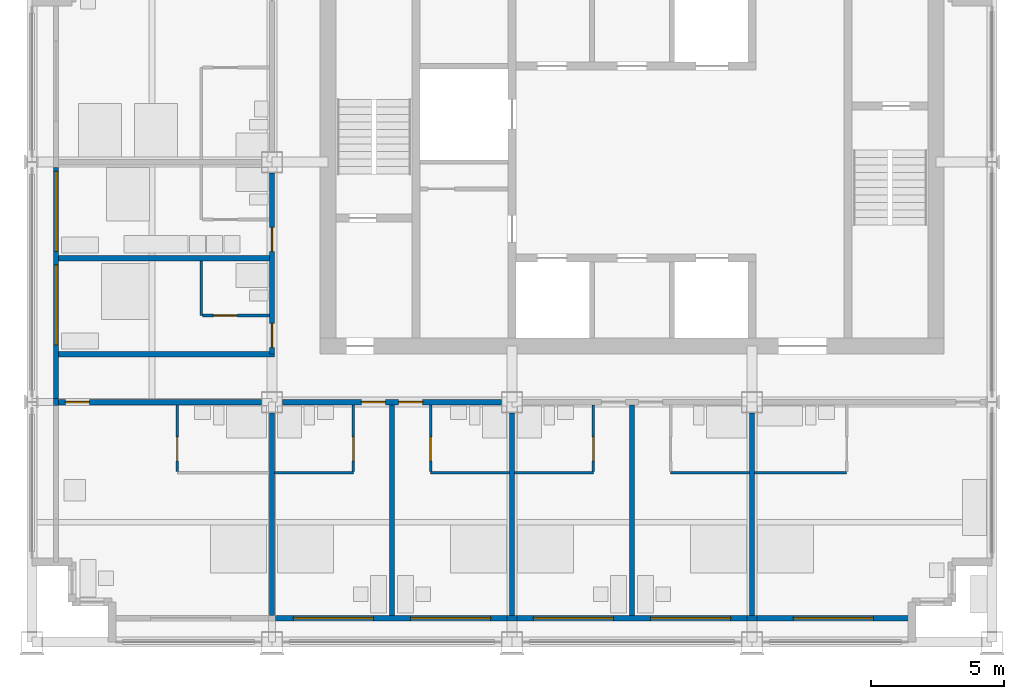
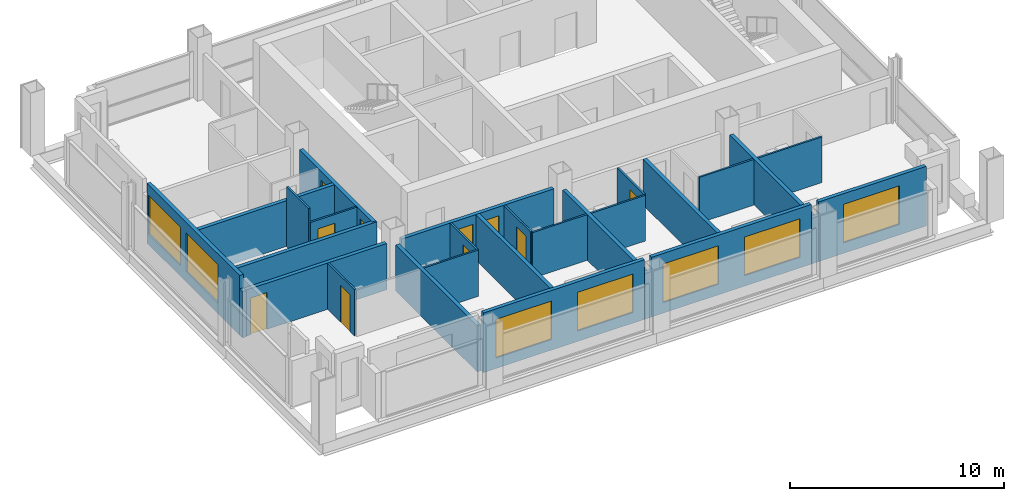
# One storey, part 6 of 12: 28 walls, 10 doors, 7 windows, 17 openings.
"""IFC4 building model written with IfcOpenShell, lengths in metres."""

from ifc_helpers import new_model, si_unit, direction, frame, frame_2d, origin, place, context, subcontext, project, spatial, rectangle, extrude, material, layer, layer_set, type_object, element, fill, save


model = new_model("IFC4")

# Units and contexts
model_context = context("Model", 3, precision=1e-05, world=origin(), true_north=direction((0.0, 1.0)))
body_context = subcontext(model_context, "Body", "Model", "MODEL_VIEW")
ifc_project = project(units=[si_unit("LENGTHUNIT", "METRE"), si_unit("AREAUNIT", "SQUARE_METRE"), si_unit("VOLUMEUNIT", "CUBIC_METRE"), si_unit("PLANEANGLEUNIT", "RADIAN"), si_unit("MASSUNIT", "GRAM", prefix="KILO")], contexts=[model_context])

# Site, building, storey
site_placement = place(None, origin())
site = spatial("IfcSite", under=ifc_project, at=site_placement, CompositionType="ELEMENT")
building_placement = place(site_placement, origin())
building = spatial("IfcBuilding", under=site, at=building_placement, Name="Loomwork Tower", CompositionType="ELEMENT")
storey_placement = place(building_placement, frame((0.0, 0.0, 255.39990234375)))
storey = spatial("IfcBuildingStorey", under=building, at=storey_placement, Name="L70", CompositionType="ELEMENT", Elevation=255.39990234375)

# Wall, opening, door
ifc_material_1 = material(Name="Gypsum board on steel studs, one-hour", Category="steel")
ifc_layer_1 = layer(ifc_material_1, 0.199951171875)
ifc_layer_set_1 = layer_set([ifc_layer_1], Name="Corridor wall 200")
wall_type_1 = type_object("IfcWallType", Name="Corridor wall 200", PredefinedType="PARTITIONING", material=ifc_layer_set_1)
wall_1_placement = place(storey_placement, frame((1.0, 9.0, 0.0), z_axis=(0.0, 0.0, 1.0), x_axis=(1.0, 0.0, 0.0)))
wall_1 = element("IfcWall", 1, at=wall_1_placement, inside=storey, type_object=wall_type_1, Name="South corridor wall 1", PredefinedType="PARTITIONING", context=body_context, shape_type="SweptSolid", body=[
    extrude(rectangle(XDim=7.60009765625, YDim=0.199951171875, at=frame_2d((3.800048828125, 0.0))), origin(), (0.0, 0.0, 1.0), 2.63818359375),
])
opening_1_placement = place(wall_1_placement, frame((0.25, 0.0, 0.0)))
opening_1 = element("IfcOpeningElement", 2, at=opening_1_placement, cuts=wall_1, Name="Opening D1", PredefinedType="OPENING", context=body_context, shape_type="SweptSolid", body=[
    extrude(rectangle(XDim=0.89990234375, YDim=2.10009765625, at=frame_2d((0.449951171875, 1.050048828125))), frame((0.0, 0.10986328125, 0.0), z_axis=(0.0, -1.0, 0.0), x_axis=(1.0, 0.0, 0.0)), (0.0, 0.0, 1.0), 0.219970703125),
])
ifc_material_2 = material(Name="Hollow metal door and frame")
door_type_1 = type_object("IfcDoorType", Name="Guest room entry door 900", OperationType="SINGLE_SWING_LEFT", PredefinedType="DOOR", material=ifc_material_2)
door_1_placement = place(opening_1_placement, frame((0.89990234375, 0.0, 0.0), z_axis=(0.0, 0.0, 1.0), x_axis=(-1.0, 0.0, 0.0)))
door_1 = element("IfcDoor", 3, at=door_1_placement, inside=storey, type_object=door_type_1, Name="Guest room entry door L70 1", OperationType="SINGLE_SWING_RIGHT", OverallHeight=2.10009765625, OverallWidth=0.89990234375, PredefinedType="DOOR", context=body_context, shape_type="SweptSolid", body=[
    extrude(rectangle(XDim=0.89990234375, YDim=2.10009765625, at=frame_2d((0.449951171875, 1.050048828125))), frame((0.0, 0.02490234375, 0.0), z_axis=(0.0, -1.0, 0.0), x_axis=(1.0, 0.0, 0.0)), (0.0, 0.0, 1.0), 0.050048828125),
])
fill(opening_1, door_1)

# Wall, openings, doors
wall_2_placement = place(storey_placement, frame((9.39990234375, 9.0, 0.0), z_axis=(0.0, 0.0, 1.0), x_axis=(1.0, 0.0, 0.0)))
wall_2 = element("IfcWall", 4, at=wall_2_placement, inside=storey, type_object=wall_type_1, Name="South corridor wall 2", PredefinedType="PARTITIONING", context=body_context, shape_type="SweptSolid", body=[
    extrude(rectangle(XDim=8.2001953125, YDim=0.199951171875, at=frame_2d((4.10009765625, 0.0))), origin(), (0.0, 0.0, 1.0), 2.60498046875),
])
opening_2_placement = place(wall_2_placement, frame((2.949951171875, 0.0, 0.0)))
opening_2 = element("IfcOpeningElement", 5, at=opening_2_placement, cuts=wall_2, Name="Opening D1", PredefinedType="OPENING", context=body_context, shape_type="SweptSolid", body=[
    extrude(rectangle(XDim=0.89990234375, YDim=2.10009765625, at=frame_2d((0.449951171875, 1.050048828125))), frame((0.0, 0.10986328125, 0.0), z_axis=(0.0, -1.0, 0.0), x_axis=(1.0, 0.0, 0.0)), (0.0, 0.0, 1.0), 0.219970703125),
])
opening_3_placement = place(wall_2_placement, frame((4.35009765625, 0.0, 0.0)))
opening_3 = element("IfcOpeningElement", 6, at=opening_3_placement, cuts=wall_2, Name="Opening D1", PredefinedType="OPENING", context=body_context, shape_type="SweptSolid", body=[
    extrude(rectangle(XDim=0.89990234375, YDim=2.10009765625, at=frame_2d((0.449951171875, 1.050048828125))), frame((0.0, 0.10986328125, 0.0), z_axis=(0.0, -1.0, 0.0), x_axis=(1.0, 0.0, 0.0)), (0.0, 0.0, 1.0), 0.219970703125),
])
door_2_placement = place(opening_2_placement, frame((0.89990234375, 0.0, 0.0), z_axis=(0.0, 0.0, 1.0), x_axis=(-1.0, 0.0, 0.0)))
door_2 = element("IfcDoor", 7, at=door_2_placement, inside=storey, type_object=door_type_1, Name="Guest room entry door L70 2", OperationType="SINGLE_SWING_LEFT", OverallHeight=2.10009765625, OverallWidth=0.89990234375, PredefinedType="DOOR", context=body_context, shape_type="SweptSolid", body=[
    extrude(rectangle(XDim=0.89990234375, YDim=2.10009765625, at=frame_2d((0.449951171875, 1.050048828125))), frame((0.0, 0.02490234375, 0.0), z_axis=(0.0, -1.0, 0.0), x_axis=(1.0, 0.0, 0.0)), (0.0, 0.0, 1.0), 0.050048828125),
])
fill(opening_2, door_2)
door_3_placement = place(opening_3_placement, frame((0.89990234375, 0.0, 0.0), z_axis=(0.0, 0.0, 1.0), x_axis=(-1.0, 0.0, 0.0)))
door_3 = element("IfcDoor", 8, at=door_3_placement, inside=storey, type_object=door_type_1, Name="Guest room entry door L70 3", OperationType="SINGLE_SWING_RIGHT", OverallHeight=2.10009765625, OverallWidth=0.89990234375, PredefinedType="DOOR", context=body_context, shape_type="SweptSolid", body=[
    extrude(rectangle(XDim=0.89990234375, YDim=2.10009765625, at=frame_2d((0.449951171875, 1.050048828125))), frame((0.0, 0.02490234375, 0.0), z_axis=(0.0, -1.0, 0.0), x_axis=(1.0, 0.0, 0.0)), (0.0, 0.0, 1.0), 0.050048828125),
])
fill(opening_3, door_3)

wall_3_placement = place(storey_placement, frame((9.0, 10.800048828125, 0.0), z_axis=(0.0, 0.0, 1.0), x_axis=(0.0, 1.0, 0.0)))
wall_3 = element("IfcWall", 9, at=wall_3_placement, inside=storey, type_object=wall_type_1, Name="West corridor wall 1", PredefinedType="PARTITIONING", context=body_context, shape_type="SweptSolid", body=[
    extrude(rectangle(XDim=6.800048828125, YDim=0.199951171875, at=frame_2d((3.39990234375, 0.0))), origin(), (0.0, 0.0, 1.0), 2.60498046875),
])
opening_4_placement = place(wall_3_placement, frame((0.25, 0.0, 0.0)))
opening_4 = element("IfcOpeningElement", 10, at=opening_4_placement, cuts=wall_3, Name="Opening D1", PredefinedType="OPENING", context=body_context, shape_type="SweptSolid", body=[
    extrude(rectangle(XDim=0.89990234375, YDim=2.10009765625, at=frame_2d((0.449951171875, 1.050048828125))), frame((0.0, 0.10986328125, 0.0), z_axis=(0.0, -1.0, 0.0), x_axis=(1.0, 0.0, 0.0)), (0.0, 0.0, 1.0), 0.219970703125),
])
opening_5_placement = place(wall_3_placement, frame((3.85009765625, 0.0, 0.0)))
opening_5 = element("IfcOpeningElement", 11, at=opening_5_placement, cuts=wall_3, Name="Opening D1", PredefinedType="OPENING", context=body_context, shape_type="SweptSolid", body=[
    extrude(rectangle(XDim=0.89990234375, YDim=2.10009765625, at=frame_2d((0.449951171875, 1.050048828125))), frame((0.0, 0.10986328125, 0.0), z_axis=(0.0, -1.0, 0.0), x_axis=(1.0, 0.0, 0.0)), (0.0, 0.0, 1.0), 0.219970703125),
])
door_4_placement = place(opening_4_placement, origin())
door_4 = element("IfcDoor", 12, at=door_4_placement, inside=storey, type_object=door_type_1, Name="Guest room entry door L70 7", OperationType="SINGLE_SWING_LEFT", OverallHeight=2.10009765625, OverallWidth=0.89990234375, PredefinedType="DOOR", context=body_context, shape_type="SweptSolid", body=[
    extrude(rectangle(XDim=0.89990234375, YDim=2.10009765625, at=frame_2d((0.449951171875, 1.050048828125))), frame((0.0, 0.02490234375, 0.0), z_axis=(0.0, -1.0, 0.0), x_axis=(1.0, 0.0, 0.0)), (0.0, 0.0, 1.0), 0.050048828125),
])
fill(opening_4, door_4)
door_5_placement = place(opening_5_placement, origin())
door_5 = element("IfcDoor", 13, at=door_5_placement, inside=storey, type_object=door_type_1, Name="Guest room entry door L70 8", OperationType="SINGLE_SWING_LEFT", OverallHeight=2.10009765625, OverallWidth=0.89990234375, PredefinedType="DOOR", context=body_context, shape_type="SweptSolid", body=[
    extrude(rectangle(XDim=0.89990234375, YDim=2.10009765625, at=frame_2d((0.449951171875, 1.050048828125))), frame((0.0, 0.02490234375, 0.0), z_axis=(0.0, -1.0, 0.0), x_axis=(1.0, 0.0, 0.0)), (0.0, 0.0, 1.0), 0.050048828125),
])
fill(opening_5, door_5)

# Wall
wall_4_placement = place(storey_placement, frame((1.0, 10.800048828125, 0.0), z_axis=(0.0, 0.0, 1.0), x_axis=(1.0, 0.0, 0.0)))
element("IfcWall", 14, at=wall_4_placement, inside=storey, type_object=wall_type_1, Name="West band end wall S", PredefinedType="PARTITIONING", context=body_context, shape_type="SweptSolid", body=[
    extrude(rectangle(XDim=8.10009765625, YDim=0.199951171875, at=frame_2d((4.050048828125, 0.0))), origin(), (0.0, 0.0, 1.0), 2.60400390625),
])

# Wall, opening, door
ifc_material_3 = material(Name="Cement board on steel studs", Category="steel")
ifc_layer_2 = layer(ifc_material_3, 0.10009765625)
ifc_layer_set_2 = layer_set([ifc_layer_2], Name="En-suite partition 100")
wall_type_2 = type_object("IfcWallType", Name="En-suite partition 100", PredefinedType="PARTITIONING", material=ifc_layer_set_2)
wall_5_placement = place(storey_placement, frame((5.449951171875, 8.89990234375, 0.0), z_axis=(0.0, 0.0, 1.0), x_axis=(0.0, -1.0, 0.0)))
wall_5 = element("IfcWall", 15, at=wall_5_placement, inside=storey, type_object=wall_type_2, Name="En-suite side wall L70 room 1", PredefinedType="PARTITIONING", context=body_context, shape_type="SweptSolid", body=[
    extrude(rectangle(XDim=2.5, YDim=0.10009765625, at=frame_2d((1.25, 0.0))), origin(), (0.0, 0.0, 1.0), 2.63818359375),
])
opening_6_placement = place(wall_5_placement, frame((1.199951171875, 0.0, 0.0)))
opening_6 = element("IfcOpeningElement", 16, at=opening_6_placement, cuts=wall_5, Name="Opening D3", PredefinedType="OPENING", context=body_context, shape_type="SweptSolid", body=[
    extrude(rectangle(XDim=0.89990234375, YDim=2.10009765625, at=frame_2d((0.449951171875, 1.050048828125))), frame((0.0, 0.06005859375, 0.0), z_axis=(0.0, -1.0, 0.0), x_axis=(1.0, 0.0, 0.0)), (0.0, 0.0, 1.0), 0.1201171875),
])
ifc_material_4 = material(Name="Hollow metal door and frame")
door_type_2 = type_object("IfcDoorType", Name="Accessible en-suite door 900", OperationType="SLIDING_TO_LEFT", PredefinedType="DOOR", material=ifc_material_4)
door_6_placement = place(opening_6_placement, origin())
door_6 = element("IfcDoor", 17, at=door_6_placement, inside=storey, type_object=door_type_2, Name="Accessible en-suite door room 1", OperationType="SLIDING_TO_LEFT", OverallHeight=2.10009765625, OverallWidth=0.89990234375, PredefinedType="DOOR", context=body_context, shape_type="SweptSolid", body=[
    extrude(rectangle(XDim=0.89990234375, YDim=2.10009765625, at=frame_2d((0.449951171875, 1.050048828125))), frame((0.0, 0.02490234375, 0.0), z_axis=(0.0, -1.0, 0.0), x_axis=(1.0, 0.0, 0.0)), (0.0, 0.0, 1.0), 0.050048828125),
])
fill(opening_6, door_6)

# Wall
wall_6_placement = place(storey_placement, frame((9.10009765625, 6.35009765625, 0.0), z_axis=(0.0, 0.0, 1.0), x_axis=(1.0, 0.0, 0.0)))
element("IfcWall", 18, at=wall_6_placement, inside=storey, type_object=wall_type_2, Name="En-suite wall L70 room 2", PredefinedType="PARTITIONING", context=body_context, shape_type="SweptSolid", body=[
    extrude(rectangle(XDim=2.949951171875, YDim=0.10009765625, at=frame_2d((1.47509765625, 0.0))), origin(), (0.0, 0.0, 1.0), 2.63818359375),
])

# Wall, opening, door
wall_7_placement = place(storey_placement, frame((12.050048828125, 8.89990234375, 0.0), z_axis=(0.0, 0.0, 1.0), x_axis=(0.0, -1.0, 0.0)))
wall_7 = element("IfcWall", 19, at=wall_7_placement, inside=storey, type_object=wall_type_2, Name="En-suite side wall L70 room 2", PredefinedType="PARTITIONING", context=body_context, shape_type="SweptSolid", body=[
    extrude(rectangle(XDim=2.5, YDim=0.10009765625, at=frame_2d((1.25, 0.0))), origin(), (0.0, 0.0, 1.0), 2.60400390625),
])
opening_7_placement = place(wall_7_placement, frame((1.199951171875, 0.0, 0.0)))
opening_7 = element("IfcOpeningElement", 20, at=opening_7_placement, cuts=wall_7, Name="Opening D2", PredefinedType="OPENING", context=body_context, shape_type="SweptSolid", body=[
    extrude(rectangle(XDim=0.89990234375, YDim=2.10009765625, at=frame_2d((0.449951171875, 1.050048828125))), frame((0.0, 0.06005859375, 0.0), z_axis=(0.0, -1.0, 0.0), x_axis=(1.0, 0.0, 0.0)), (0.0, 0.0, 1.0), 0.1201171875),
])
ifc_material_5 = material(Name="Hollow metal door and frame")
door_type_3 = type_object("IfcDoorType", Name="En-suite door 900", OperationType="SINGLE_SWING_LEFT", PredefinedType="DOOR", material=ifc_material_5)
door_7_placement = place(opening_7_placement, frame((0.89990234375, 0.0, 0.0), z_axis=(0.0, 0.0, 1.0), x_axis=(-1.0, 0.0, 0.0)))
door_7 = element("IfcDoor", 21, at=door_7_placement, inside=storey, type_object=door_type_3, Name="En-suite door room 2", OperationType="SINGLE_SWING_LEFT", OverallHeight=2.10009765625, OverallWidth=0.89990234375, PredefinedType="DOOR", context=body_context, shape_type="SweptSolid", body=[
    extrude(rectangle(XDim=0.89990234375, YDim=2.10009765625, at=frame_2d((0.449951171875, 1.050048828125))), frame((0.0, 0.02490234375, 0.0), z_axis=(0.0, -1.0, 0.0), x_axis=(1.0, 0.0, 0.0)), (0.0, 0.0, 1.0), 0.050048828125),
])
fill(opening_7, door_7)

# Wall
wall_8_placement = place(storey_placement, frame((14.949951171875, 6.35009765625, 0.0), z_axis=(0.0, 0.0, 1.0), x_axis=(1.0, 0.0, 0.0)))
element("IfcWall", 22, at=wall_8_placement, inside=storey, type_object=wall_type_2, Name="En-suite wall L70 room 3", PredefinedType="PARTITIONING", context=body_context, shape_type="SweptSolid", body=[
    extrude(rectangle(XDim=2.949951171875, YDim=0.10009765625, at=frame_2d((1.47509765625, 0.0))), origin(), (0.0, 0.0, 1.0), 2.60400390625),
])

# Wall, opening, door
wall_9_placement = place(storey_placement, frame((14.949951171875, 8.89990234375, 0.0), z_axis=(0.0, 0.0, 1.0), x_axis=(0.0, -1.0, 0.0)))
wall_9 = element("IfcWall", 23, at=wall_9_placement, inside=storey, type_object=wall_type_2, Name="En-suite side wall L70 room 3", PredefinedType="PARTITIONING", context=body_context, shape_type="SweptSolid", body=[
    extrude(rectangle(XDim=2.5, YDim=0.10009765625, at=frame_2d((1.25, 0.0))), origin(), (0.0, 0.0, 1.0), 2.60400390625),
])
opening_8_placement = place(wall_9_placement, frame((1.199951171875, 0.0, 0.0)))
opening_8 = element("IfcOpeningElement", 24, at=opening_8_placement, cuts=wall_9, Name="Opening D2", PredefinedType="OPENING", context=body_context, shape_type="SweptSolid", body=[
    extrude(rectangle(XDim=0.89990234375, YDim=2.10009765625, at=frame_2d((0.449951171875, 1.050048828125))), frame((0.0, 0.06005859375, 0.0), z_axis=(0.0, -1.0, 0.0), x_axis=(1.0, 0.0, 0.0)), (0.0, 0.0, 1.0), 0.1201171875),
])
door_8_placement = place(opening_8_placement, origin())
door_8 = element("IfcDoor", 25, at=door_8_placement, inside=storey, type_object=door_type_3, Name="En-suite door room 3", OperationType="SINGLE_SWING_RIGHT", OverallHeight=2.10009765625, OverallWidth=0.89990234375, PredefinedType="DOOR", context=body_context, shape_type="SweptSolid", body=[
    extrude(rectangle(XDim=0.89990234375, YDim=2.10009765625, at=frame_2d((0.449951171875, 1.050048828125))), frame((0.0, 0.02490234375, 0.0), z_axis=(0.0, -1.0, 0.0), x_axis=(1.0, 0.0, 0.0)), (0.0, 0.0, 1.0), 0.050048828125),
])
fill(opening_8, door_8)

# Wall
wall_10_placement = place(storey_placement, frame((18.10009765625, 6.35009765625, 0.0), z_axis=(0.0, 0.0, 1.0), x_axis=(1.0, 0.0, 0.0)))
element("IfcWall", 26, at=wall_10_placement, inside=storey, type_object=wall_type_2, Name="En-suite wall L70 room 4", PredefinedType="PARTITIONING", context=body_context, shape_type="SweptSolid", body=[
    extrude(rectangle(XDim=2.949951171875, YDim=0.10009765625, at=frame_2d((1.47509765625, 0.0))), origin(), (0.0, 0.0, 1.0), 2.60400390625),
])

# Wall, opening, door
wall_11_placement = place(storey_placement, frame((21.050048828125, 8.89990234375, 0.0), z_axis=(0.0, 0.0, 1.0), x_axis=(0.0, -1.0, 0.0)))
wall_11 = element("IfcWall", 27, at=wall_11_placement, inside=storey, type_object=wall_type_2, Name="En-suite side wall L70 room 4", PredefinedType="PARTITIONING", context=body_context, shape_type="SweptSolid", body=[
    extrude(rectangle(XDim=2.5, YDim=0.10009765625, at=frame_2d((1.25, 0.0))), origin(), (0.0, 0.0, 1.0), 2.60400390625),
])
opening_9_placement = place(wall_11_placement, frame((1.199951171875, 0.0, 0.0)))
opening_9 = element("IfcOpeningElement", 28, at=opening_9_placement, cuts=wall_11, Name="Opening D2", PredefinedType="OPENING", context=body_context, shape_type="SweptSolid", body=[
    extrude(rectangle(XDim=0.89990234375, YDim=2.10009765625, at=frame_2d((0.449951171875, 1.050048828125))), frame((0.0, 0.06005859375, 0.0), z_axis=(0.0, -1.0, 0.0), x_axis=(1.0, 0.0, 0.0)), (0.0, 0.0, 1.0), 0.1201171875),
])
door_9_placement = place(opening_9_placement, frame((0.89990234375, 0.0, 0.0), z_axis=(0.0, 0.0, 1.0), x_axis=(-1.0, 0.0, 0.0)))
door_9 = element("IfcDoor", 29, at=door_9_placement, inside=storey, type_object=door_type_3, Name="En-suite door room 4", OperationType="SINGLE_SWING_LEFT", OverallHeight=2.10009765625, OverallWidth=0.89990234375, PredefinedType="DOOR", context=body_context, shape_type="SweptSolid", body=[
    extrude(rectangle(XDim=0.89990234375, YDim=2.10009765625, at=frame_2d((0.449951171875, 1.050048828125))), frame((0.0, 0.02490234375, 0.0), z_axis=(0.0, -1.0, 0.0), x_axis=(1.0, 0.0, 0.0)), (0.0, 0.0, 1.0), 0.050048828125),
])
fill(opening_9, door_9)

# Walls
wall_12_placement = place(storey_placement, frame((23.949951171875, 6.35009765625, 0.0), z_axis=(0.0, 0.0, 1.0), x_axis=(1.0, 0.0, 0.0)))
element("IfcWall", 30, at=wall_12_placement, inside=storey, type_object=wall_type_2, Name="En-suite wall L70 room 5", PredefinedType="PARTITIONING", context=body_context, shape_type="SweptSolid", body=[
    extrude(rectangle(XDim=2.949951171875, YDim=0.10009765625, at=frame_2d((1.47509765625, 0.0))), origin(), (0.0, 0.0, 1.0), 2.60400390625),
])
wall_13_placement = place(storey_placement, frame((27.10009765625, 6.35009765625, 0.0), z_axis=(0.0, 0.0, 1.0), x_axis=(1.0, 0.0, 0.0)))
element("IfcWall", 31, at=wall_13_placement, inside=storey, type_object=wall_type_2, Name="En-suite wall L70 room 6", PredefinedType="PARTITIONING", context=body_context, shape_type="SweptSolid", body=[
    extrude(rectangle(XDim=3.449951171875, YDim=0.10009765625, at=frame_2d((1.72509765625, 0.0))), origin(), (0.0, 0.0, 1.0), 2.60400390625),
])
wall_14_placement = place(storey_placement, frame((6.35009765625, 12.25, 0.0), z_axis=(0.0, 0.0, 1.0), x_axis=(0.0, 1.0, 0.0)))
element("IfcWall", 32, at=wall_14_placement, inside=storey, type_object=wall_type_2, Name="En-suite wall L70 room 7", PredefinedType="PARTITIONING", context=body_context, shape_type="SweptSolid", body=[
    extrude(rectangle(XDim=2.050048828125, YDim=0.10009765625, at=frame_2d((1.02490234375, 0.0))), origin(), (0.0, 0.0, 1.0), 3.400146484375),
])

# Wall, opening, door
wall_15_placement = place(storey_placement, frame((8.89990234375, 12.25, 0.0), z_axis=(0.0, 0.0, 1.0), x_axis=(-1.0, 0.0, 0.0)))
wall_15 = element("IfcWall", 33, at=wall_15_placement, inside=storey, type_object=wall_type_2, Name="En-suite side wall L70 room 7", PredefinedType="PARTITIONING", context=body_context, shape_type="SweptSolid", body=[
    extrude(rectangle(XDim=2.5, YDim=0.10009765625, at=frame_2d((1.25, 0.0))), origin(), (0.0, 0.0, 1.0), 2.60400390625),
])
opening_10_placement = place(wall_15_placement, frame((1.199951171875, 0.0, 0.0)))
opening_10 = element("IfcOpeningElement", 34, at=opening_10_placement, cuts=wall_15, Name="Opening D2", PredefinedType="OPENING", context=body_context, shape_type="SweptSolid", body=[
    extrude(rectangle(XDim=0.89990234375, YDim=2.10009765625, at=frame_2d((0.449951171875, 1.050048828125))), frame((0.0, 0.06005859375, 0.0), z_axis=(0.0, -1.0, 0.0), x_axis=(1.0, 0.0, 0.0)), (0.0, 0.0, 1.0), 0.1201171875),
])
door_10_placement = place(opening_10_placement, frame((0.89990234375, 0.0, 0.0), z_axis=(0.0, 0.0, 1.0), x_axis=(-1.0, 0.0, 0.0)))
door_10 = element("IfcDoor", 35, at=door_10_placement, inside=storey, type_object=door_type_3, Name="En-suite door room 7", OperationType="SINGLE_SWING_LEFT", OverallHeight=2.10009765625, OverallWidth=0.89990234375, PredefinedType="DOOR", context=body_context, shape_type="SweptSolid", body=[
    extrude(rectangle(XDim=0.89990234375, YDim=2.10009765625, at=frame_2d((0.449951171875, 1.050048828125))), frame((0.0, 0.02490234375, 0.0), z_axis=(0.0, -1.0, 0.0), x_axis=(1.0, 0.0, 0.0)), (0.0, 0.0, 1.0), 0.050048828125),
])
fill(opening_10, door_10)

# Walls
ifc_material_6 = material(Name="Gypsum board on steel studs, acoustic", Category="steel")
ifc_layer_3 = layer(ifc_material_6, 0.199951171875)
ifc_layer_set_3 = layer_set([ifc_layer_3], Name="Guest room party wall 200")
wall_type_3 = type_object("IfcWallType", Name="Guest room party wall 200", PredefinedType="PARTITIONING", material=ifc_layer_set_3)
wall_16_placement = place(storey_placement, frame((9.0, 8.60009765625, 0.0), z_axis=(0.0, 0.0, 1.0), x_axis=(0.0, -1.0, 0.0)))
element("IfcWall", 36, at=wall_16_placement, inside=storey, type_object=wall_type_3, Name="Guest room party wall S 9", PredefinedType="PARTITIONING", context=body_context, shape_type="SweptSolid", body=[
    extrude(rectangle(XDim=7.60009765625, YDim=0.199951171875, at=frame_2d((3.800048828125, 0.0))), origin(), (0.0, 0.0, 1.0), 2.63818359375),
])
wall_17_placement = place(storey_placement, frame((13.5, 8.89990234375, 0.0), z_axis=(0.0, 0.0, 1.0), x_axis=(0.0, -1.0, 0.0)))
element("IfcWall", 37, at=wall_17_placement, inside=storey, type_object=wall_type_3, Name="Guest room party wall S 13.5", PredefinedType="PARTITIONING", context=body_context, shape_type="SweptSolid", body=[
    extrude(rectangle(XDim=7.89990234375, YDim=0.199951171875, at=frame_2d((3.949951171875, 0.0))), origin(), (0.0, 0.0, 1.0), 2.60400390625),
])
wall_18_placement = place(storey_placement, frame((18.0, 8.60009765625, 0.0), z_axis=(0.0, 0.0, 1.0), x_axis=(0.0, -1.0, 0.0)))
element("IfcWall", 38, at=wall_18_placement, inside=storey, type_object=wall_type_3, Name="Guest room party wall S 18", PredefinedType="PARTITIONING", context=body_context, shape_type="SweptSolid", body=[
    extrude(rectangle(XDim=7.60009765625, YDim=0.199951171875, at=frame_2d((3.800048828125, 0.0))), origin(), (0.0, 0.0, 1.0), 2.60498046875),
])
wall_19_placement = place(storey_placement, frame((22.5, 8.89990234375, 0.0), z_axis=(0.0, 0.0, 1.0), x_axis=(0.0, -1.0, 0.0)))
element("IfcWall", 39, at=wall_19_placement, inside=storey, type_object=wall_type_3, Name="Guest room party wall S 22.5", PredefinedType="PARTITIONING", context=body_context, shape_type="SweptSolid", body=[
    extrude(rectangle(XDim=7.89990234375, YDim=0.199951171875, at=frame_2d((3.949951171875, 0.0))), origin(), (0.0, 0.0, 1.0), 2.60400390625),
])
wall_20_placement = place(storey_placement, frame((27.0, 8.60009765625, 0.0), z_axis=(0.0, 0.0, 1.0), x_axis=(0.0, -1.0, 0.0)))
element("IfcWall", 40, at=wall_20_placement, inside=storey, type_object=wall_type_3, Name="Guest room party wall S 27", PredefinedType="PARTITIONING", context=body_context, shape_type="SweptSolid", body=[
    extrude(rectangle(XDim=7.60009765625, YDim=0.199951171875, at=frame_2d((3.800048828125, 0.0))), origin(), (0.0, 0.0, 1.0), 2.60498046875),
])
wall_21_placement = place(storey_placement, frame((8.89990234375, 14.39990234375, 0.0), z_axis=(0.0, 0.0, 1.0), x_axis=(-1.0, 0.0, 0.0)))
element("IfcWall", 41, at=wall_21_placement, inside=storey, type_object=wall_type_3, Name="Guest room party wall W 14.4", PredefinedType="PARTITIONING", context=body_context, shape_type="SweptSolid", body=[
    extrude(rectangle(XDim=7.89990234375, YDim=0.199951171875, at=frame_2d((3.949951171875, 0.0))), origin(), (0.0, 0.0, 1.0), 2.60400390625),
])

# Wall, openings, windows
ifc_material_7 = material(Name="Insulated steel stud wall with gypsum lining", Category="steel")
ifc_layer_4 = layer(ifc_material_7, 0.199951171875)
ifc_layer_set_4 = layer_set([ifc_layer_4], Name="Inner skin wall 200")
wall_type_4 = type_object("IfcWallType", Name="Inner skin wall 200", PredefinedType="SOLIDWALL", material=ifc_layer_set_4)
wall_22_placement = place(storey_placement, frame((9.13525390625, 0.89990234375, 0.0), z_axis=(0.0, 0.0, 1.0), x_axis=(1.0, 0.0, 0.0)))
wall_22 = element("IfcWall", 42, at=wall_22_placement, inside=storey, type_object=wall_type_4, Name="Inner skin wall S bay 3", PredefinedType="SOLIDWALL", context=body_context, shape_type="SweptSolid", body=[
    extrude(rectangle(XDim=8.6708984375, YDim=0.199951171875, at=frame_2d((4.33544921875, 0.0))), origin(), (0.0, 0.0, 1.0), 3.400146484375),
])
opening_11_placement = place(wall_22_placement, frame((0.664794921875, 0.0, 0.60009765625)))
opening_11 = element("IfcOpeningElement", 43, at=opening_11_placement, cuts=wall_22, Name="Opening CH1", PredefinedType="OPENING", context=body_context, shape_type="SweptSolid", body=[
    extrude(rectangle(XDim=3.0, YDim=2.199951171875, at=frame_2d((1.5, 1.10009765625))), frame((0.0, 0.10986328125, 0.0), z_axis=(0.0, -1.0, 0.0), x_axis=(1.0, 0.0, 0.0)), (0.0, 0.0, 1.0), 0.219970703125),
])
opening_12_placement = place(wall_22_placement, frame((5.064697265625, 0.0, 0.60009765625)))
opening_12 = element("IfcOpeningElement", 44, at=opening_12_placement, cuts=wall_22, Name="Opening CH1", PredefinedType="OPENING", context=body_context, shape_type="SweptSolid", body=[
    extrude(rectangle(XDim=3.0, YDim=2.199951171875, at=frame_2d((1.5, 1.10009765625))), frame((0.0, 0.10986328125, 0.0), z_axis=(0.0, -1.0, 0.0), x_axis=(1.0, 0.0, 0.0)), (0.0, 0.0, 1.0), 0.219970703125),
])
ifc_material_8 = material(Name="Aluminium frame with clear insulated glass", Category="aluminium")
window_type = type_object("IfcWindowType", Name="Chicago window 3000", PartitioningType="TRIPLE_PANEL_VERTICAL", PredefinedType="WINDOW", material=ifc_material_8)
window_1_placement = place(opening_11_placement, origin())
window_1 = element("IfcWindow", 45, at=window_1_placement, inside=storey, type_object=window_type, Name="Chicago window L70 bay 2", OverallHeight=2.199951171875, OverallWidth=3.0, PartitioningType="TRIPLE_PANEL_VERTICAL", PredefinedType="WINDOW", context=body_context, shape_type="SweptSolid", body=[
    extrude(rectangle(XDim=3.0, YDim=2.199951171875, at=frame_2d((1.5, 1.10009765625))), frame((0.0, 0.030029296875, 0.0), z_axis=(0.0, -1.0, 0.0), x_axis=(1.0, 0.0, 0.0)), (0.0, 0.0, 1.0), 0.06005859375),
])
fill(opening_11, window_1)
window_2_placement = place(opening_12_placement, origin())
window_2 = element("IfcWindow", 46, at=window_2_placement, inside=storey, type_object=window_type, Name="Chicago window L70 bay 2", OverallHeight=2.199951171875, OverallWidth=3.0, PartitioningType="TRIPLE_PANEL_VERTICAL", PredefinedType="WINDOW", context=body_context, shape_type="SweptSolid", body=[
    extrude(rectangle(XDim=3.0, YDim=2.199951171875, at=frame_2d((1.5, 1.10009765625))), frame((0.0, 0.030029296875, 0.0), z_axis=(0.0, -1.0, 0.0), x_axis=(1.0, 0.0, 0.0)), (0.0, 0.0, 1.0), 0.06005859375),
])
fill(opening_12, window_2)

# Wall
wall_23_placement = place(storey_placement, frame((17.80615234375, 0.89990234375, 0.0), z_axis=(0.0, 0.0, 1.0), x_axis=(1.0, 0.0, 0.0)))
element("IfcWall", 47, at=wall_23_placement, inside=storey, type_object=wall_type_4, Name="Inner skin wall S bay 4", PredefinedType="SOLIDWALL", context=body_context, shape_type="SweptSolid", body=[
    extrude(rectangle(XDim=0.3876953125, YDim=0.199951171875, at=frame_2d((0.19384765625, 0.0))), origin(), (0.0, 0.0, 1.0), 2.60400390625),
])

# Wall, openings, windows
wall_24_placement = place(storey_placement, frame((18.19384765625, 0.89990234375, 0.0), z_axis=(0.0, 0.0, 1.0), x_axis=(1.0, 0.0, 0.0)))
wall_24 = element("IfcWall", 48, at=wall_24_placement, inside=storey, type_object=wall_type_4, Name="Inner skin wall S bay 5", PredefinedType="SOLIDWALL", context=body_context, shape_type="SweptSolid", body=[
    extrude(rectangle(XDim=8.6123046875, YDim=0.199951171875, at=frame_2d((4.30615234375, 0.0))), origin(), (0.0, 0.0, 1.0), 3.400146484375),
])
opening_13_placement = place(wall_24_placement, frame((0.606201171875, 0.0, 0.60009765625)))
opening_13 = element("IfcOpeningElement", 49, at=opening_13_placement, cuts=wall_24, Name="Opening CH1", PredefinedType="OPENING", context=body_context, shape_type="SweptSolid", body=[
    extrude(rectangle(XDim=3.0, YDim=2.199951171875, at=frame_2d((1.5, 1.10009765625))), frame((0.0, 0.10986328125, 0.0), z_axis=(0.0, -1.0, 0.0), x_axis=(1.0, 0.0, 0.0)), (0.0, 0.0, 1.0), 0.219970703125),
])
opening_14_placement = place(wall_24_placement, frame((5.006103515625, 0.0, 0.60009765625)))
opening_14 = element("IfcOpeningElement", 50, at=opening_14_placement, cuts=wall_24, Name="Opening CH1", PredefinedType="OPENING", context=body_context, shape_type="SweptSolid", body=[
    extrude(rectangle(XDim=3.0, YDim=2.199951171875, at=frame_2d((1.5, 1.10009765625))), frame((0.0, 0.10986328125, 0.0), z_axis=(0.0, -1.0, 0.0), x_axis=(1.0, 0.0, 0.0)), (0.0, 0.0, 1.0), 0.219970703125),
])
window_3_placement = place(opening_13_placement, origin())
window_3 = element("IfcWindow", 51, at=window_3_placement, inside=storey, type_object=window_type, Name="Chicago window L70 bay 3", OverallHeight=2.199951171875, OverallWidth=3.0, PartitioningType="TRIPLE_PANEL_VERTICAL", PredefinedType="WINDOW", context=body_context, shape_type="SweptSolid", body=[
    extrude(rectangle(XDim=3.0, YDim=2.199951171875, at=frame_2d((1.5, 1.10009765625))), frame((0.0, 0.030029296875, 0.0), z_axis=(0.0, -1.0, 0.0), x_axis=(1.0, 0.0, 0.0)), (0.0, 0.0, 1.0), 0.06005859375),
])
fill(opening_13, window_3)
window_4_placement = place(opening_14_placement, origin())
window_4 = element("IfcWindow", 52, at=window_4_placement, inside=storey, type_object=window_type, Name="Chicago window L70 bay 3", OverallHeight=2.199951171875, OverallWidth=3.0, PartitioningType="TRIPLE_PANEL_VERTICAL", PredefinedType="WINDOW", context=body_context, shape_type="SweptSolid", body=[
    extrude(rectangle(XDim=3.0, YDim=2.199951171875, at=frame_2d((1.5, 1.10009765625))), frame((0.0, 0.030029296875, 0.0), z_axis=(0.0, -1.0, 0.0), x_axis=(1.0, 0.0, 0.0)), (0.0, 0.0, 1.0), 0.06005859375),
])
fill(opening_14, window_4)

# Wall
wall_25_placement = place(storey_placement, frame((26.80615234375, 0.89990234375, 0.0), z_axis=(0.0, 0.0, 1.0), x_axis=(1.0, 0.0, 0.0)))
element("IfcWall", 53, at=wall_25_placement, inside=storey, type_object=wall_type_4, Name="Inner skin wall S bay 6", PredefinedType="SOLIDWALL", context=body_context, shape_type="SweptSolid", body=[
    extrude(rectangle(XDim=0.3876953125, YDim=0.199951171875, at=frame_2d((0.19384765625, 0.0))), origin(), (0.0, 0.0, 1.0), 2.60400390625),
])

# Wall, opening, window
wall_26_placement = place(storey_placement, frame((27.19384765625, 0.89990234375, 0.0), z_axis=(0.0, 0.0, 1.0), x_axis=(1.0, 0.0, 0.0)))
wall_26 = element("IfcWall", 54, at=wall_26_placement, inside=storey, type_object=wall_type_4, Name="Inner skin wall S bay 7", PredefinedType="SOLIDWALL", context=body_context, shape_type="SweptSolid", body=[
    extrude(rectangle(XDim=5.80615234375, YDim=0.199951171875, at=frame_2d((2.903076171875, 0.0))), origin(), (0.0, 0.0, 1.0), 3.400146484375),
])
opening_15_placement = place(wall_26_placement, frame((1.356201171875, 0.0, 0.60009765625)))
opening_15 = element("IfcOpeningElement", 55, at=opening_15_placement, cuts=wall_26, Name="Opening CH1", PredefinedType="OPENING", context=body_context, shape_type="SweptSolid", body=[
    extrude(rectangle(XDim=3.0, YDim=2.199951171875, at=frame_2d((1.5, 1.10009765625))), frame((0.0, 0.10986328125, 0.0), z_axis=(0.0, -1.0, 0.0), x_axis=(1.0, 0.0, 0.0)), (0.0, 0.0, 1.0), 0.219970703125),
])
window_5_placement = place(opening_15_placement, origin())
window_5 = element("IfcWindow", 56, at=window_5_placement, inside=storey, type_object=window_type, Name="Chicago window L70 bay 4", OverallHeight=2.199951171875, OverallWidth=3.0, PartitioningType="TRIPLE_PANEL_VERTICAL", PredefinedType="WINDOW", context=body_context, shape_type="SweptSolid", body=[
    extrude(rectangle(XDim=3.0, YDim=2.199951171875, at=frame_2d((1.5, 1.10009765625))), frame((0.0, 0.030029296875, 0.0), z_axis=(0.0, -1.0, 0.0), x_axis=(1.0, 0.0, 0.0)), (0.0, 0.0, 1.0), 0.06005859375),
])
fill(opening_15, window_5)

# Wall
wall_27_placement = place(storey_placement, frame((0.89990234375, 8.86474609375, 0.0), z_axis=(0.0, 0.0, 1.0), x_axis=(0.0, 1.0, 0.0)))
element("IfcWall", 57, at=wall_27_placement, inside=storey, type_object=wall_type_4, Name="Inner skin wall W bay 4", PredefinedType="SOLIDWALL", context=body_context, shape_type="SweptSolid", body=[
    extrude(rectangle(XDim=0.2705078125, YDim=0.199951171875, at=frame_2d((0.13525390625, 0.0))), origin(), (0.0, 0.0, 1.0), 2.63818359375),
])

# Wall, openings, windows
wall_28_placement = place(storey_placement, frame((0.89990234375, 9.13525390625, 0.0), z_axis=(0.0, 0.0, 1.0), x_axis=(0.0, 1.0, 0.0)))
wall_28 = element("IfcWall", 58, at=wall_28_placement, inside=storey, type_object=wall_type_4, Name="Inner skin wall W bay 5", PredefinedType="SOLIDWALL", context=body_context, shape_type="SweptSolid", body=[
    extrude(rectangle(XDim=8.6708984375, YDim=0.199951171875, at=frame_2d((4.33544921875, 0.0))), origin(), (0.0, 0.0, 1.0), 3.400146484375),
])
opening_16_placement = place(wall_28_placement, frame((2.0146484375, 0.0, 0.60009765625)))
opening_16 = element("IfcOpeningElement", 59, at=opening_16_placement, cuts=wall_28, Name="Opening CH1", PredefinedType="OPENING", context=body_context, shape_type="SweptSolid", body=[
    extrude(rectangle(XDim=3.0, YDim=2.199951171875, at=frame_2d((1.5, 1.10009765625))), frame((0.0, 0.10986328125, 0.0), z_axis=(0.0, -1.0, 0.0), x_axis=(1.0, 0.0, 0.0)), (0.0, 0.0, 1.0), 0.219970703125),
])
opening_17_placement = place(wall_28_placement, frame((5.5146484375, 0.0, 0.60009765625)))
opening_17 = element("IfcOpeningElement", 60, at=opening_17_placement, cuts=wall_28, Name="Opening CH1", PredefinedType="OPENING", context=body_context, shape_type="SweptSolid", body=[
    extrude(rectangle(XDim=3.0, YDim=2.199951171875, at=frame_2d((1.5, 1.10009765625))), frame((0.0, 0.10986328125, 0.0), z_axis=(0.0, -1.0, 0.0), x_axis=(1.0, 0.0, 0.0)), (0.0, 0.0, 1.0), 0.219970703125),
])
window_6_placement = place(opening_16_placement, origin())
window_6 = element("IfcWindow", 61, at=window_6_placement, inside=storey, type_object=window_type, Name="Chicago window L70 bay 5", OverallHeight=2.199951171875, OverallWidth=3.0, PartitioningType="TRIPLE_PANEL_VERTICAL", PredefinedType="WINDOW", context=body_context, shape_type="SweptSolid", body=[
    extrude(rectangle(XDim=3.0, YDim=2.199951171875, at=frame_2d((1.5, 1.10009765625))), frame((0.0, 0.030029296875, 0.0), z_axis=(0.0, -1.0, 0.0), x_axis=(1.0, 0.0, 0.0)), (0.0, 0.0, 1.0), 0.06005859375),
])
fill(opening_16, window_6)
window_7_placement = place(opening_17_placement, origin())
window_7 = element("IfcWindow", 62, at=window_7_placement, inside=storey, type_object=window_type, Name="Chicago window L70 bay 5", OverallHeight=2.199951171875, OverallWidth=3.0, PartitioningType="TRIPLE_PANEL_VERTICAL", PredefinedType="WINDOW", context=body_context, shape_type="SweptSolid", body=[
    extrude(rectangle(XDim=3.0, YDim=2.199951171875, at=frame_2d((1.5, 1.10009765625))), frame((0.0, 0.030029296875, 0.0), z_axis=(0.0, -1.0, 0.0), x_axis=(1.0, 0.0, 0.0)), (0.0, 0.0, 1.0), 0.06005859375),
])
fill(opening_17, window_7)

save(model, "model.ifc")
